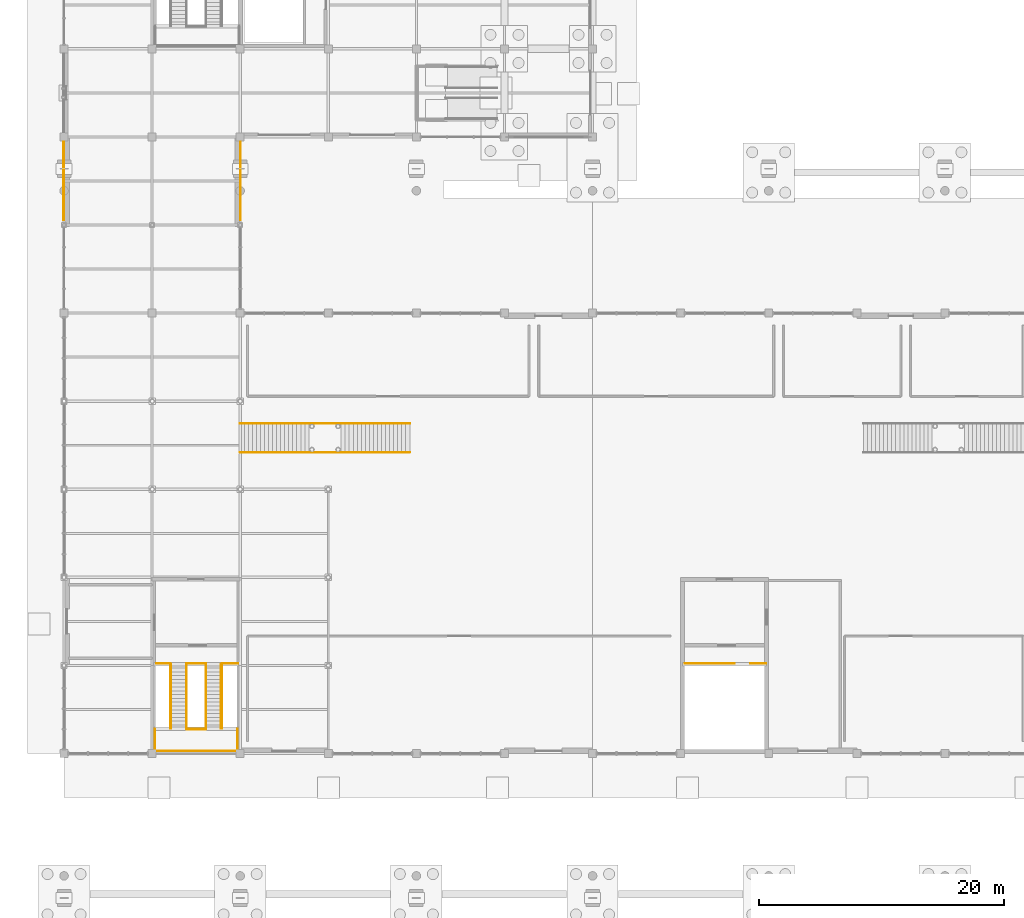
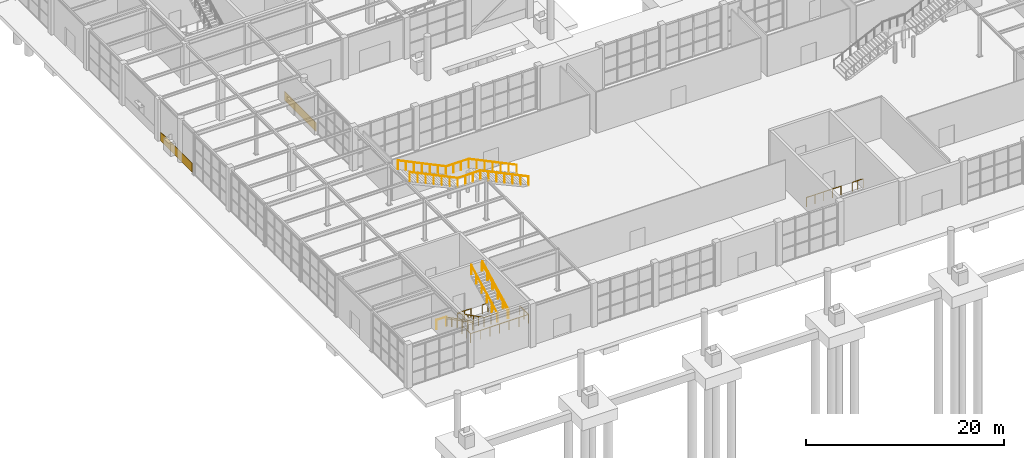
# One storey, part 70 of 75: 15 railings, 2 coverings.
"""IFC4 building model written with IfcOpenShell, lengths in metres."""

import ifcopenshell
import ifcopenshell.guid

model = None  # the IFC model being written
_history = None  # IfcOwnerHistory: only IFC2X3 demands one
_inside = {}  # id of a spatial element -> (the spatial element, [elements in it])
_under = {}  # id of a project, library or spatial element -> (it, [spatial elements below it])
_declared = {}  # id of a project -> (the project, [libraries it declares])
_typed = {}  # id of a type object -> (the type object, [elements of that type])
_made_of = {}  # id of a material, layer set ... -> (it, [elements and type objects made of it])


def new_model(schema):
    """Start an empty IFC model of exactly this schema.

    Asked for "IFC4X3", IfcOpenShell would pick the latest addendum, in which some entities
    have other attributes; the version numbers below select the first issue.
    IFC2X3 requires an IfcOwnerHistory on every rooted entity: one is made here for all.
    """
    global model, _history
    if schema == "IFC4X3":
        model = ifcopenshell.file(schema_version=(4, 3, 0, 0))
    else:
        model = ifcopenshell.file(schema=schema)
    _inside.clear()
    _under.clear()
    _declared.clear()
    _typed.clear()
    _made_of.clear()
    _history = None
    if model.schema == "IFC2X3":
        org = make("IfcOrganization", Name="unknown")
        user = make(
            "IfcPersonAndOrganization",
            ThePerson=make("IfcPerson", FamilyName="unknown"),
            TheOrganization=org,
        )
        app = make(
            "IfcApplication",
            ApplicationDeveloper=org,
            Version="unknown",
            ApplicationFullName="unknown",
            ApplicationIdentifier="unknown",
        )
        _history = make(
            "IfcOwnerHistory",
            OwningUser=user,
            OwningApplication=app,
            ChangeAction="ADDED",
            CreationDate=0,
        )
    return model


def make(cls, **values):
    """One entity of the class cls with the attributes given. An attribute that is None is left unset."""
    return model.create_entity(
        cls, **{name: value for name, value in values.items() if value is not None}
    )


def rooted(cls, **values):
    """An entity with a GlobalId (a new one), such as an element, a storey or a relation."""
    return make(cls, GlobalId=ifcopenshell.guid.new(), OwnerHistory=_history, **values)


def si_unit(unit_type, name, prefix=None):
    """IfcSIUnit, for example si_unit("LENGTHUNIT", "METRE", prefix="MILLI")."""
    return make("IfcSIUnit", UnitType=unit_type, Prefix=prefix, Name=name)


def assignment(units):
    """IfcUnitAssignment: the units of a project."""
    return None if units is None else make("IfcUnitAssignment", Units=units)


def point(xyz):
    """IfcCartesianPoint."""
    return None if xyz is None else make("IfcCartesianPoint", Coordinates=xyz)


def direction(xyz):
    """IfcDirection."""
    return None if xyz is None else make("IfcDirection", DirectionRatios=xyz)


def frame(location, z_axis=None, x_axis=None):
    """IfcAxis2Placement3D, a coordinate frame: its origin and axes. An axis left out is left unset."""
    return make(
        "IfcAxis2Placement3D",
        Location=point(location),
        Axis=direction(z_axis),
        RefDirection=direction(x_axis),
    )


def frame_2d(location, x_axis=None):
    """IfcAxis2Placement2D, a coordinate frame in the plane: its origin and x axis."""
    return make(
        "IfcAxis2Placement2D", Location=point(location), RefDirection=direction(x_axis)
    )


def origin():
    """The frame at (0, 0, 0) with its axes left unset."""
    return frame((0.0, 0.0, 0.0))


def origin_2d():
    """The frame at (0, 0) in the plane with its x axis left unset."""
    return frame_2d((0.0, 0.0))


def place(relative_to, where):
    """IfcLocalPlacement: puts the frame where relative to a parent placement (None: the world)."""
    return make(
        "IfcLocalPlacement", PlacementRelTo=relative_to, RelativePlacement=where
    )


def context(
    kind, dimensions, precision=None, world=None, true_north=None, identifier=None
):
    """IfcGeometricRepresentationContext, for example the 3D "Model" context."""
    return make(
        "IfcGeometricRepresentationContext",
        ContextIdentifier=identifier,
        ContextType=kind,
        CoordinateSpaceDimension=dimensions,
        Precision=precision,
        WorldCoordinateSystem=world,
        TrueNorth=true_north,
    )


def subcontext(parent, identifier, kind, view, scale=None):
    """IfcGeometricRepresentationSubContext, for example "Body" below "Model"."""
    return make(
        "IfcGeometricRepresentationSubContext",
        ContextIdentifier=identifier,
        ContextType=kind,
        ParentContext=parent,
        TargetScale=scale,
        TargetView=view,
    )


def project(units=None, contexts=None):
    """IfcProject with its units and contexts."""
    return rooted(
        "IfcProject",
        Name="project",
        RepresentationContexts=contexts,
        UnitsInContext=assignment(units),
    )


def spatial(cls, under=None, at=None, **own):
    """A site, building, storey or space (cls), placed at a placement, below another one or the project."""
    s = rooted(cls, ObjectPlacement=at, **own)
    if under is not None:
        _under.setdefault(under.id(), (under, []))[1].append(s)
    return s


def profile(cls, at=None, kind="AREA", **sizes):
    """A parametric profile (cls). Its sizes go by their IFC names, for example OverallWidth=200.0."""
    return make(cls, ProfileType=kind, Position=at, **sizes)


def rectangle(**sizes):
    """IfcRectangleProfileDef."""
    return profile("IfcRectangleProfileDef", **sizes)


def circle(**sizes):
    """IfcCircleProfileDef."""
    return profile("IfcCircleProfileDef", **sizes)


def extrude(swept, where, along, depth):
    """IfcExtrudedAreaSolid: the profile swept, set in the frame where, extruded along a direction by depth."""
    return make(
        "IfcExtrudedAreaSolid",
        SweptArea=swept,
        Position=where,
        ExtrudedDirection=direction(along),
        Depth=depth,
    )


def shape(context_of_items, identifier, shape_type, items):
    """IfcShapeRepresentation: the items that make up one representation, for example the "Body"."""
    return make(
        "IfcShapeRepresentation",
        ContextOfItems=context_of_items,
        RepresentationIdentifier=identifier,
        RepresentationType=shape_type,
        Items=items,
    )


def material(Name=None, Category=None):
    """IfcMaterial."""
    return make("IfcMaterial", Name=Name, Category=Category)


def layer(
    of_material, thickness, ventilated=None, Name=None, Category=None, Priority=None
):
    """IfcMaterialLayer: one layer of a wall or slab, of a material (None: an air gap)."""
    return make(
        "IfcMaterialLayer",
        Material=of_material,
        LayerThickness=thickness,
        IsVentilated=ventilated,
        Name=Name,
        Category=Category,
        Priority=Priority,
    )


def layer_set(layers, Name=None):
    """IfcMaterialLayerSet."""
    return make("IfcMaterialLayerSet", MaterialLayers=layers, LayerSetName=Name)


def made_of(thing, what):
    """Note that an element or type object is made of a material, layer set ...; save() writes the relation."""
    if what is not None:
        _made_of.setdefault(what.id(), (what, []))[1].append(thing)
    return thing


def type_object(cls, material=None, **own):
    """A type object (cls), such as IfcWallType, which elements share."""
    return made_of(rooted(cls, **own), material)


def element(
    cls,
    number,
    at=None,
    inside=None,
    cuts=None,
    type_object=None,
    material=None,
    context=None,
    identifier="Body",
    shape_type=None,
    held_by="IfcProductDefinitionShape",
    body=None,
    shapes=None,
    **own,
):
    """One element of the class cls, such as IfcWall. Its Tag is "e" and its number.

    at: its placement. inside: the storey or other place that contains it. cuts: it is an
    opening in that element (IfcRelVoidsElement). A single representation is given by context,
    identifier, shape_type and body (its items); several are given by shapes. held_by: the class
    of the entity that holds the representations. save() writes the other relations.
    """
    e = rooted(cls, Tag="e%d" % number, ObjectPlacement=at, **own)
    if body is not None:
        shapes = [shape(context, identifier, shape_type, body)]
    if shapes is not None:
        e.Representation = make(held_by, Representations=shapes)
    if inside is not None:
        _inside.setdefault(inside.id(), (inside, []))[1].append(e)
    if cuts is not None:
        rooted(
            "IfcRelVoidsElement", RelatingBuildingElement=cuts, RelatedOpeningElement=e
        )
    if type_object is not None:
        _typed.setdefault(type_object.id(), (type_object, []))[1].append(e)
    return made_of(e, material)


def aggregate(whole, parts):
    """IfcRelAggregates: a whole, such as a stair, and the parts it consists of."""
    return rooted("IfcRelAggregates", RelatingObject=whole, RelatedObjects=parts)


def save(model, path):
    """Write the relations noted so far, then the file.

    IfcRelAggregates (storeys below a building ...), IfcRelContainedInSpatialStructure (elements
    in a storey), IfcRelDefinesByType, IfcRelAssociatesMaterial and IfcRelDeclares: one each for
    every whole, place, type object, material and project.
    """
    for whole, parts in _under.values():
        aggregate(whole, parts)
    for where, things in _inside.values():
        rooted(
            "IfcRelContainedInSpatialStructure",
            RelatedElements=things,
            RelatingStructure=where,
        )
    for kind, things in _typed.values():
        rooted("IfcRelDefinesByType", RelatedObjects=things, RelatingType=kind)
    for what, things in _made_of.values():
        rooted("IfcRelAssociatesMaterial", RelatedObjects=things, RelatingMaterial=what)
    for by, libraries in _declared.values():
        rooted("IfcRelDeclares", RelatingContext=by, RelatedDefinitions=libraries)
    model.write(path)


model = new_model("IFC4")

# Units and contexts
model_context = context("Model", 3, precision=1e-05, world=origin(), true_north=direction((0.0, 1.0)))
body_context = subcontext(model_context, "Body", "Model", "MODEL_VIEW")
ifc_project = project(units=[si_unit("LENGTHUNIT", "METRE"), si_unit("AREAUNIT", "SQUARE_METRE"), si_unit("VOLUMEUNIT", "CUBIC_METRE"), si_unit("PLANEANGLEUNIT", "RADIAN"), si_unit("MASSUNIT", "GRAM", prefix="KILO")], contexts=[model_context])

# Site, building, storey
site_placement = place(None, origin())
site = spatial("IfcSite", under=ifc_project, at=site_placement, CompositionType="ELEMENT")
building_placement = place(site_placement, origin())
building = spatial("IfcBuilding", under=site, at=building_placement, Name="Leyfeld Transit Interchange", CompositionType="ELEMENT")
storey_placement = place(building_placement, origin())
storey = spatial("IfcBuildingStorey", under=building, at=storey_placement, Name="L00", CompositionType="ELEMENT", Elevation=0.0)

# Coverings
ifc_material_1 = material(Name="Leitha limestone ashlar - Insulated", Category="masonry")
ifc_layer = layer(ifc_material_1, 0.044921875, Name="Leitha limestone ashlar - Insulated")
ifc_layer_set = layer_set([ifc_layer], Name="Leitha limestone ashlar - Insulated")
covering_type = type_object("IfcCoveringType", Name="COV-CLD-STN", PredefinedType="CLADDING", material=ifc_layer_set)
for number, where, z_axis, x_axis, name in (
    (1, (-0.02197265625, 61.199951171875, 0.0), (0.0, 0.0, 1.0), (0.0, 1.0, 0.0), "Limestone Plinth Cladding 001"),
    (2, (14.422119140625, 61.199951171875, 0.0), (0.0, 0.0, 1.0), (0.0, -1.0, 0.0), "Limestone Plinth Cladding 013"),
):
    element("IfcCovering", number, at=place(storey_placement, frame(where, z_axis=z_axis, x_axis=x_axis)), inside=storey, type_object=covering_type, Name=name, PredefinedType="CLADDING", context=body_context, shape_type="SweptSolid", body=[
        extrude(rectangle(XDim=6.39990234375, YDim=0.044921875, at=origin_2d()), origin(), (0.0, 0.0, 1.0), 1.10009765625),
    ])

# Railings
ifc_material_2 = material(Name="Stainless steel EN 1.4404", Category="steel")
railing_type_1 = type_object("IfcRailingType", Name="RL-STR-GRD-1100", PredefinedType="GUARDRAIL", material=ifc_material_2)
railing_1_placement = place(storey_placement, frame((7.56005859375, 21.75, 0.0)))
element("IfcRailing", 3, at=railing_1_placement, inside=storey, type_object=railing_type_1, Name="Stair ST-06 Landing Guard FLW L00", PredefinedType="GUARDRAIL", context=body_context, shape_type="SweptSolid", body=[
    extrude(circle(Radius=0.02392578125, at=origin_2d()), frame((0.0, 0.0, 1.09619140625), z_axis=(1.0, 0.0, 0.0), x_axis=(0.0, 1.0, 0.0)), (0.0, 0.0, 1.0), 1.139892578125),
    extrude(circle(Radius=0.02099609375, at=origin_2d()), origin(), (0.0, 0.0, 1.0), 1.072021484375),
    extrude(circle(Radius=0.02099609375, at=origin_2d()), frame((1.139892578125, 0.0, 0.0)), (0.0, 0.0, 1.0), 1.072021484375),
])
railing_2_placement = place(storey_placement, frame((10.0, 21.75, 0.0)))
element("IfcRailing", 4, at=railing_2_placement, inside=storey, type_object=railing_type_1, Name="Stair ST-06 Landing Guard EYE L00", PredefinedType="GUARDRAIL", context=body_context, shape_type="SweptSolid", body=[
    extrude(circle(Radius=0.02392578125, at=origin_2d()), frame((0.0, 0.0, 1.09619140625), z_axis=(1.0, 0.0, 0.0), x_axis=(0.0, 1.0, 0.0)), (0.0, 0.0, 1.0), 1.60009765625),
    extrude(circle(Radius=0.02099609375, at=origin_2d()), origin(), (0.0, 0.0, 1.0), 1.072021484375),
    extrude(circle(Radius=0.02099609375, at=origin_2d()), frame((0.800048828125, 0.0, 0.0)), (0.0, 0.0, 1.0), 1.072021484375),
    extrude(circle(Radius=0.02099609375, at=origin_2d()), frame((1.60009765625, 0.0, 0.0)), (0.0, 0.0, 1.0), 1.072021484375),
])
railing_3_placement = place(storey_placement, frame((12.89990234375, 21.75, 0.0)))
element("IfcRailing", 5, at=railing_3_placement, inside=storey, type_object=railing_type_1, Name="Stair ST-06 Landing Guard FLE L00", PredefinedType="GUARDRAIL", context=body_context, shape_type="SweptSolid", body=[
    extrude(circle(Radius=0.02392578125, at=origin_2d()), frame((0.0, 0.0, 1.09619140625), z_axis=(1.0, 0.0, 0.0), x_axis=(0.0, 1.0, 0.0)), (0.0, 0.0, 1.0), 1.31005859375),
    extrude(circle(Radius=0.02099609375, at=origin_2d()), origin(), (0.0, 0.0, 1.0), 1.072021484375),
    extrude(circle(Radius=0.02099609375, at=origin_2d()), frame((0.655029296875, 0.0, 0.0)), (0.0, 0.0, 1.0), 1.072021484375),
    extrude(circle(Radius=0.02099609375, at=origin_2d()), frame((1.31005859375, 0.0, 0.0)), (0.0, 0.0, 1.0), 1.072021484375),
])
railing_4_placement = place(storey_placement, frame((10.010009765625, 16.389892578125, 2.699951171875)))
element("IfcRailing", 6, at=railing_4_placement, inside=storey, type_object=railing_type_1, Name="Stair ST-06 L00 Half-Landing Inner Guard", PredefinedType="GUARDRAIL", context=body_context, shape_type="SweptSolid", body=[
    extrude(circle(Radius=0.02392578125, at=origin_2d()), frame((0.0, 0.0, 1.09619140625), z_axis=(1.0, 0.0, 0.0), x_axis=(0.0, 1.0, 0.0)), (0.0, 0.0, 1.0), 1.580078125),
    extrude(circle(Radius=0.02099609375, at=origin_2d()), origin(), (0.0, 0.0, 1.0), 1.072021484375),
    extrude(circle(Radius=0.02099609375, at=origin_2d()), frame((0.7900390625, 0.0, 0.0)), (0.0, 0.0, 1.0), 1.072021484375),
    extrude(circle(Radius=0.02099609375, at=origin_2d()), frame((1.580078125, 0.0, 0.0)), (0.0, 0.0, 1.0), 1.072021484375),
])
railing_5_placement = place(storey_placement, frame((7.419921875, 16.389892578125, 2.699951171875)))
element("IfcRailing", 7, at=railing_5_placement, inside=storey, type_object=railing_type_1, Name="Stair ST-06 L00 Half-Landing Perimeter Guard", PredefinedType="GUARDRAIL", context=body_context, shape_type="SweptSolid", body=[
    extrude(circle(Radius=0.02392578125, at=origin_2d()), frame((0.0, 0.0, 1.09619140625), z_axis=(0.0, -1.0, 0.0), x_axis=(1.0, 0.0, 0.0)), (0.0, 0.0, 1.0), 1.769775390625),
    extrude(circle(Radius=0.02392578125, at=origin_2d()), frame((0.0, -1.769775390625, 1.09619140625), z_axis=(1.0, 0.0, 0.0), x_axis=(0.0, 1.0, 0.0)), (0.0, 0.0, 1.0), 6.760009765625),
    extrude(circle(Radius=0.02392578125, at=origin_2d()), frame((6.760009765625, -1.769775390625, 1.09619140625), z_axis=(0.0, 1.0, 0.0), x_axis=(-1.0, 0.0, 0.0)), (0.0, 0.0, 1.0), 1.769775390625),
    extrude(circle(Radius=0.02099609375, at=origin_2d()), origin(), (0.0, 0.0, 1.0), 1.072021484375),
    extrude(circle(Radius=0.02099609375, at=origin_2d()), frame((0.0, -0.884765625, 0.0)), (0.0, 0.0, 1.0), 1.072021484375),
    extrude(circle(Radius=0.02099609375, at=origin_2d()), frame((0.0, -1.769775390625, 0.0)), (0.0, 0.0, 1.0), 1.072021484375),
    extrude(circle(Radius=0.02099609375, at=origin_2d()), frame((1.126708984375, -1.769775390625, 0.0)), (0.0, 0.0, 1.0), 1.072021484375),
    extrude(circle(Radius=0.02099609375, at=origin_2d()), frame((2.25341796875, -1.769775390625, 0.0)), (0.0, 0.0, 1.0), 1.072021484375),
    extrude(circle(Radius=0.02099609375, at=origin_2d()), frame((3.3798828125, -1.769775390625, 0.0)), (0.0, 0.0, 1.0), 1.072021484375),
    extrude(circle(Radius=0.02099609375, at=origin_2d()), frame((4.506591796875, -1.769775390625, 0.0)), (0.0, 0.0, 1.0), 1.072021484375),
    extrude(circle(Radius=0.02099609375, at=origin_2d()), frame((5.63330078125, -1.769775390625, 0.0)), (0.0, 0.0, 1.0), 1.072021484375),
    extrude(circle(Radius=0.02099609375, at=origin_2d()), frame((6.760009765625, -1.769775390625, 0.0)), (0.0, 0.0, 1.0), 1.072021484375),
    extrude(circle(Radius=0.02099609375, at=origin_2d()), frame((6.760009765625, -0.884765625, 0.0)), (0.0, 0.0, 1.0), 1.072021484375),
    extrude(circle(Radius=0.02099609375, at=origin_2d()), frame((6.760009765625, 0.0, 0.0)), (0.0, 0.0, 1.0), 1.072021484375),
])
for number, where, name in (
    (8, (10.010009765625, 21.699951171875, 0.0), "Stair ST-06 L00 F1 Inner Guard"),
    (9, (8.68994140625, 21.699951171875, 0.0), "Stair ST-06 L00 F1 Outer Guard"),
):
    element("IfcRailing", number, at=place(storey_placement, frame(where)), inside=storey, type_object=railing_type_1, Name=name, PredefinedType="GUARDRAIL", context=body_context, shape_type="SweptSolid", body=[
        extrude(circle(Radius=0.02392578125, at=origin_2d()), frame((0.0, 0.0, 1.09619140625), z_axis=(0.0, -0.889997253095, 0.455965886314), x_axis=(1.0, 0.0, 0.0)), (0.0, 0.0, 1.0), 5.92138671875),
        extrude(circle(Radius=0.02099609375, at=origin_2d()), origin(), (0.0, 0.0, 1.0), 1.072021484375),
        extrude(circle(Radius=0.02099609375, at=origin_2d()), frame((0.0, -1.053955078125, 0.5400390625)), (0.0, 0.0, 1.0), 1.072021484375),
        extrude(circle(Radius=0.02099609375, at=origin_2d()), frame((0.0, -2.10791015625, 1.080078125)), (0.0, 0.0, 1.0), 1.072021484375),
        extrude(circle(Radius=0.02099609375, at=origin_2d()), frame((0.0, -3.162109375, 1.619873046875)), (0.0, 0.0, 1.0), 1.072021484375),
        extrude(circle(Radius=0.02099609375, at=origin_2d()), frame((0.0, -4.216064453125, 2.159912109375)), (0.0, 0.0, 1.0), 1.072021484375),
        extrude(circle(Radius=0.02099609375, at=origin_2d()), frame((0.0, -5.27001953125, 2.699951171875)), (0.0, 0.0, 1.0), 1.072021484375),
    ])
for number, where, name in (
    (10, (11.590087890625, 16.429931640625, 2.699951171875), "Stair ST-06 L00 F2 Inner Guard"),
    (11, (12.909912109375, 16.429931640625, 2.699951171875), "Stair ST-06 L00 F2 Outer Guard"),
):
    element("IfcRailing", number, at=place(storey_placement, frame(where)), inside=storey, type_object=railing_type_1, Name=name, PredefinedType="GUARDRAIL", context=body_context, shape_type="SweptSolid", body=[
        extrude(circle(Radius=0.02392578125, at=origin_2d()), frame((0.0, 0.0, 1.09619140625), z_axis=(0.0, 0.889997253095, 0.455965886314), x_axis=(-1.0, 0.0, 0.0)), (0.0, 0.0, 1.0), 5.92138671875),
        extrude(circle(Radius=0.02099609375, at=origin_2d()), origin(), (0.0, 0.0, 1.0), 1.072021484375),
        extrude(circle(Radius=0.02099609375, at=origin_2d()), frame((0.0, 1.053955078125, 0.5400390625)), (0.0, 0.0, 1.0), 1.072021484375),
        extrude(circle(Radius=0.02099609375, at=origin_2d()), frame((0.0, 2.10791015625, 1.080078125)), (0.0, 0.0, 1.0), 1.072021484375),
        extrude(circle(Radius=0.02099609375, at=origin_2d()), frame((0.0, 3.162109375, 1.619873046875)), (0.0, 0.0, 1.0), 1.072021484375),
        extrude(circle(Radius=0.02099609375, at=origin_2d()), frame((0.0, 4.216064453125, 2.159912109375)), (0.0, 0.0, 1.0), 1.072021484375),
        extrude(circle(Radius=0.02099609375, at=origin_2d()), frame((0.0, 5.27001953125, 2.699951171875)), (0.0, 0.0, 1.0), 1.072021484375),
    ])
railing_6_placement = place(storey_placement, frame((50.760009765625, 21.75, 0.0)))
element("IfcRailing", 12, at=railing_6_placement, inside=storey, type_object=railing_type_1, Name="Stair ST-08 Landing Guard TOPW L00", PredefinedType="GUARDRAIL", context=body_context, shape_type="SweptSolid", body=[
    extrude(circle(Radius=0.02392578125, at=origin_2d()), frame((0.0, 0.0, 1.09619140625), z_axis=(1.0, 0.0, 0.0), x_axis=(0.0, 1.0, 0.0)), (0.0, 0.0, 1.0), 4.0400390625),
    extrude(circle(Radius=0.02099609375, at=origin_2d()), origin(), (0.0, 0.0, 1.0), 1.072021484375),
    extrude(circle(Radius=0.02099609375, at=origin_2d()), frame((1.010009765625, 0.0, 0.0)), (0.0, 0.0, 1.0), 1.072021484375),
    extrude(circle(Radius=0.02099609375, at=origin_2d()), frame((2.02001953125, 0.0, 0.0)), (0.0, 0.0, 1.0), 1.072021484375),
    extrude(circle(Radius=0.02099609375, at=origin_2d()), frame((3.030029296875, 0.0, 0.0)), (0.0, 0.0, 1.0), 1.072021484375),
    extrude(circle(Radius=0.02099609375, at=origin_2d()), frame((4.0400390625, 0.0, 0.0)), (0.0, 0.0, 1.0), 1.072021484375),
])
railing_7_placement = place(storey_placement, frame((56.10009765625, 21.75, 0.0)))
element("IfcRailing", 13, at=railing_7_placement, inside=storey, type_object=railing_type_1, Name="Stair ST-08 Landing Guard TOPE L00", PredefinedType="GUARDRAIL", context=body_context, shape_type="SweptSolid", body=[
    extrude(circle(Radius=0.02392578125, at=origin_2d()), frame((0.0, 0.0, 1.09619140625), z_axis=(1.0, 0.0, 0.0), x_axis=(0.0, 1.0, 0.0)), (0.0, 0.0, 1.0), 1.284912109375),
    extrude(circle(Radius=0.02099609375, at=origin_2d()), origin(), (0.0, 0.0, 1.0), 1.072021484375),
    extrude(circle(Radius=0.02099609375, at=origin_2d()), frame((0.642578125, 0.0, 0.0)), (0.0, 0.0, 1.0), 1.072021484375),
    extrude(circle(Radius=0.02099609375, at=origin_2d()), frame((1.284912109375, 0.0, 0.0)), (0.0, 0.0, 1.0), 1.072021484375),
])
railing_8_placement = place(storey_placement, frame((28.260009765625, 39.02001953125, 0.0)))
element("IfcRailing", 14, at=railing_8_placement, inside=storey, type_object=railing_type_1, Name="Feature Stair ST-10 Guard S", PredefinedType="GUARDRAIL", context=body_context, shape_type="SweptSolid", body=[
    extrude(circle(Radius=0.02392578125, at=origin_2d()), frame((0.0, 0.0, 1.09619140625), z_axis=(-0.901077724073, 0.0, 0.433657624376), x_axis=(0.0, -1.0, 0.0)), (0.0, 0.0, 1.0), 6.22607421875),
    extrude(circle(Radius=0.02392578125, at=origin_2d()), frame((-5.610107421875, 0.0, 3.7958984375), z_axis=(-1.0, 0.0, 0.0), x_axis=(0.0, -1.0, 0.0)), (0.0, 0.0, 1.0), 2.639892578125),
    extrude(circle(Radius=0.02392578125, at=origin_2d()), frame((-8.25, 0.0, 3.7958984375), z_axis=(-0.901077724073, 0.0, 0.433657624376), x_axis=(0.0, -1.0, 0.0)), (0.0, 0.0, 1.0), 6.22607421875),
    extrude(circle(Radius=0.02099609375, at=origin_2d()), origin(), (0.0, 0.0, 1.0), 1.072021484375),
    extrude(circle(Radius=0.02099609375, at=origin_2d()), frame((-0.93505859375, 0.0, 0.449951171875)), (0.0, 0.0, 1.0), 1.072021484375),
    extrude(circle(Radius=0.02099609375, at=origin_2d()), frame((-1.8701171875, 0.0, 0.89990234375)), (0.0, 0.0, 1.0), 1.072021484375),
    extrude(circle(Radius=0.02099609375, at=origin_2d()), frame((-2.80517578125, 0.0, 1.35009765625)), (0.0, 0.0, 1.0), 1.072021484375),
    extrude(circle(Radius=0.02099609375, at=origin_2d()), frame((-3.739990234375, 0.0, 1.800048828125)), (0.0, 0.0, 1.0), 1.072021484375),
    extrude(circle(Radius=0.02099609375, at=origin_2d()), frame((-4.675048828125, 0.0, 2.25)), (0.0, 0.0, 1.0), 1.072021484375),
    extrude(circle(Radius=0.02099609375, at=origin_2d()), frame((-5.610107421875, 0.0, 2.699951171875)), (0.0, 0.0, 1.0), 1.072021484375),
    extrude(circle(Radius=0.02099609375, at=origin_2d()), frame((-6.489990234375, 0.0, 2.699951171875)), (0.0, 0.0, 1.0), 1.072021484375),
    extrude(circle(Radius=0.02099609375, at=origin_2d()), frame((-7.3701171875, 0.0, 2.699951171875)), (0.0, 0.0, 1.0), 1.072021484375),
    extrude(circle(Radius=0.02099609375, at=origin_2d()), frame((-8.25, 0.0, 2.699951171875)), (0.0, 0.0, 1.0), 1.072021484375),
    extrude(circle(Radius=0.02099609375, at=origin_2d()), frame((-9.18505859375, 0.0, 3.14990234375)), (0.0, 0.0, 1.0), 1.072021484375),
    extrude(circle(Radius=0.02099609375, at=origin_2d()), frame((-10.1201171875, 0.0, 3.599853515625)), (0.0, 0.0, 1.0), 1.072021484375),
    extrude(circle(Radius=0.02099609375, at=origin_2d()), frame((-11.05517578125, 0.0, 4.0498046875)), (0.0, 0.0, 1.0), 1.072021484375),
    extrude(circle(Radius=0.02099609375, at=origin_2d()), frame((-11.989990234375, 0.0, 4.5)), (0.0, 0.0, 1.0), 1.072021484375),
    extrude(circle(Radius=0.02099609375, at=origin_2d()), frame((-12.925048828125, 0.0, 4.949951171875)), (0.0, 0.0, 1.0), 1.072021484375),
    extrude(circle(Radius=0.02099609375, at=origin_2d()), frame((-13.860107421875, 0.0, 5.39990234375)), (0.0, 0.0, 1.0), 1.072021484375),
])
railing_9_placement = place(storey_placement, frame((28.260009765625, 41.3798828125, 0.0)))
element("IfcRailing", 15, at=railing_9_placement, inside=storey, type_object=railing_type_1, Name="Feature Stair ST-10 Guard N", PredefinedType="GUARDRAIL", context=body_context, shape_type="SweptSolid", body=[
    extrude(circle(Radius=0.02392578125, at=origin_2d()), frame((0.0, 0.0, 1.09619140625), z_axis=(-0.901077724073, 0.0, 0.433657624376), x_axis=(0.0, -1.0, 0.0)), (0.0, 0.0, 1.0), 6.22607421875),
    extrude(circle(Radius=0.02392578125, at=origin_2d()), frame((-5.610107421875, 0.0, 3.7958984375), z_axis=(-1.0, 0.0, 0.0), x_axis=(0.0, -1.0, 0.0)), (0.0, 0.0, 1.0), 2.639892578125),
    extrude(circle(Radius=0.02392578125, at=origin_2d()), frame((-8.25, 0.0, 3.7958984375), z_axis=(-0.901077724073, 0.0, 0.433657624376), x_axis=(0.0, -1.0, 0.0)), (0.0, 0.0, 1.0), 6.22607421875),
    extrude(circle(Radius=0.02099609375, at=origin_2d()), origin(), (0.0, 0.0, 1.0), 1.072021484375),
    extrude(circle(Radius=0.02099609375, at=origin_2d()), frame((-0.93505859375, 0.0, 0.449951171875)), (0.0, 0.0, 1.0), 1.072021484375),
    extrude(circle(Radius=0.02099609375, at=origin_2d()), frame((-1.8701171875, 0.0, 0.89990234375)), (0.0, 0.0, 1.0), 1.072021484375),
    extrude(circle(Radius=0.02099609375, at=origin_2d()), frame((-2.80517578125, 0.0, 1.35009765625)), (0.0, 0.0, 1.0), 1.072021484375),
    extrude(circle(Radius=0.02099609375, at=origin_2d()), frame((-3.739990234375, 0.0, 1.800048828125)), (0.0, 0.0, 1.0), 1.072021484375),
    extrude(circle(Radius=0.02099609375, at=origin_2d()), frame((-4.675048828125, 0.0, 2.25)), (0.0, 0.0, 1.0), 1.072021484375),
    extrude(circle(Radius=0.02099609375, at=origin_2d()), frame((-5.610107421875, 0.0, 2.699951171875)), (0.0, 0.0, 1.0), 1.072021484375),
    extrude(circle(Radius=0.02099609375, at=origin_2d()), frame((-6.489990234375, 0.0, 2.699951171875)), (0.0, 0.0, 1.0), 1.072021484375),
    extrude(circle(Radius=0.02099609375, at=origin_2d()), frame((-7.3701171875, 0.0, 2.699951171875)), (0.0, 0.0, 1.0), 1.072021484375),
    extrude(circle(Radius=0.02099609375, at=origin_2d()), frame((-8.25, 0.0, 2.699951171875)), (0.0, 0.0, 1.0), 1.072021484375),
    extrude(circle(Radius=0.02099609375, at=origin_2d()), frame((-9.18505859375, 0.0, 3.14990234375)), (0.0, 0.0, 1.0), 1.072021484375),
    extrude(circle(Radius=0.02099609375, at=origin_2d()), frame((-10.1201171875, 0.0, 3.599853515625)), (0.0, 0.0, 1.0), 1.072021484375),
    extrude(circle(Radius=0.02099609375, at=origin_2d()), frame((-11.05517578125, 0.0, 4.0498046875)), (0.0, 0.0, 1.0), 1.072021484375),
    extrude(circle(Radius=0.02099609375, at=origin_2d()), frame((-11.989990234375, 0.0, 4.5)), (0.0, 0.0, 1.0), 1.072021484375),
    extrude(circle(Radius=0.02099609375, at=origin_2d()), frame((-12.925048828125, 0.0, 4.949951171875)), (0.0, 0.0, 1.0), 1.072021484375),
    extrude(circle(Radius=0.02099609375, at=origin_2d()), frame((-13.860107421875, 0.0, 5.39990234375)), (0.0, 0.0, 1.0), 1.072021484375),
])
railing_type_2 = type_object("IfcRailingType", Name="RL-STR-HND-900", PredefinedType="HANDRAIL", material=ifc_material_2)
railing_10_placement = place(storey_placement, frame((8.75, 21.699951171875, 0.0)))
element("IfcRailing", 16, at=railing_10_placement, inside=storey, type_object=railing_type_2, Name="Stair ST-06 L00 F1 Handrail", PredefinedType="HANDRAIL", context=body_context, shape_type="SweptSolid", body=[
    extrude(circle(Radius=0.02392578125, at=origin_2d()), frame((0.0, 0.0, 0.8759765625), z_axis=(0.0, -0.889997253095, 0.455965886314), x_axis=(1.0, 0.0, 0.0)), (0.0, 0.0, 1.0), 5.92138671875),
    extrude(circle(Radius=0.02099609375, at=origin_2d()), origin(), (0.0, 0.0, 1.0), 0.851806640625),
    extrude(circle(Radius=0.02099609375, at=origin_2d()), frame((0.0, -1.053955078125, 0.5400390625)), (0.0, 0.0, 1.0), 0.851806640625),
    extrude(circle(Radius=0.02099609375, at=origin_2d()), frame((0.0, -2.10791015625, 1.080078125)), (0.0, 0.0, 1.0), 0.851806640625),
    extrude(circle(Radius=0.02099609375, at=origin_2d()), frame((0.0, -3.162109375, 1.619873046875)), (0.0, 0.0, 1.0), 0.851806640625),
    extrude(circle(Radius=0.02099609375, at=origin_2d()), frame((0.0, -4.216064453125, 2.159912109375)), (0.0, 0.0, 1.0), 0.851806640625),
    extrude(circle(Radius=0.02099609375, at=origin_2d()), frame((0.0, -5.27001953125, 2.699951171875)), (0.0, 0.0, 1.0), 0.851806640625),
])
railing_11_placement = place(storey_placement, frame((12.85009765625, 16.429931640625, 2.699951171875)))
element("IfcRailing", 17, at=railing_11_placement, inside=storey, type_object=railing_type_2, Name="Stair ST-06 L00 F2 Handrail", PredefinedType="HANDRAIL", context=body_context, shape_type="SweptSolid", body=[
    extrude(circle(Radius=0.02392578125, at=origin_2d()), frame((0.0, 0.0, 0.8759765625), z_axis=(0.0, 0.889997253095, 0.455965886314), x_axis=(-1.0, 0.0, 0.0)), (0.0, 0.0, 1.0), 5.92138671875),
    extrude(circle(Radius=0.02099609375, at=origin_2d()), origin(), (0.0, 0.0, 1.0), 0.851806640625),
    extrude(circle(Radius=0.02099609375, at=origin_2d()), frame((0.0, 1.053955078125, 0.5400390625)), (0.0, 0.0, 1.0), 0.851806640625),
    extrude(circle(Radius=0.02099609375, at=origin_2d()), frame((0.0, 2.10791015625, 1.080078125)), (0.0, 0.0, 1.0), 0.851806640625),
    extrude(circle(Radius=0.02099609375, at=origin_2d()), frame((0.0, 3.162109375, 1.619873046875)), (0.0, 0.0, 1.0), 0.851806640625),
    extrude(circle(Radius=0.02099609375, at=origin_2d()), frame((0.0, 4.216064453125, 2.159912109375)), (0.0, 0.0, 1.0), 0.851806640625),
    extrude(circle(Radius=0.02099609375, at=origin_2d()), frame((0.0, 5.27001953125, 2.699951171875)), (0.0, 0.0, 1.0), 0.851806640625),
])

save(model, "model.ifc")
